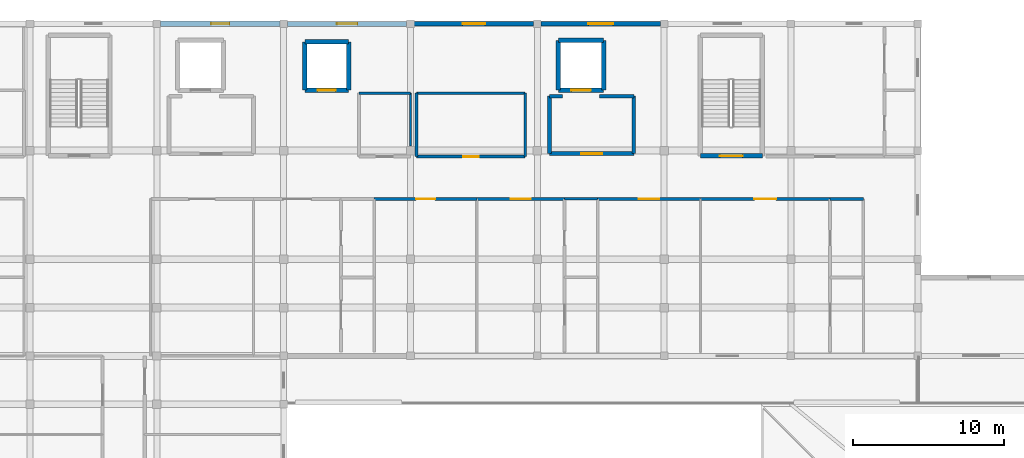
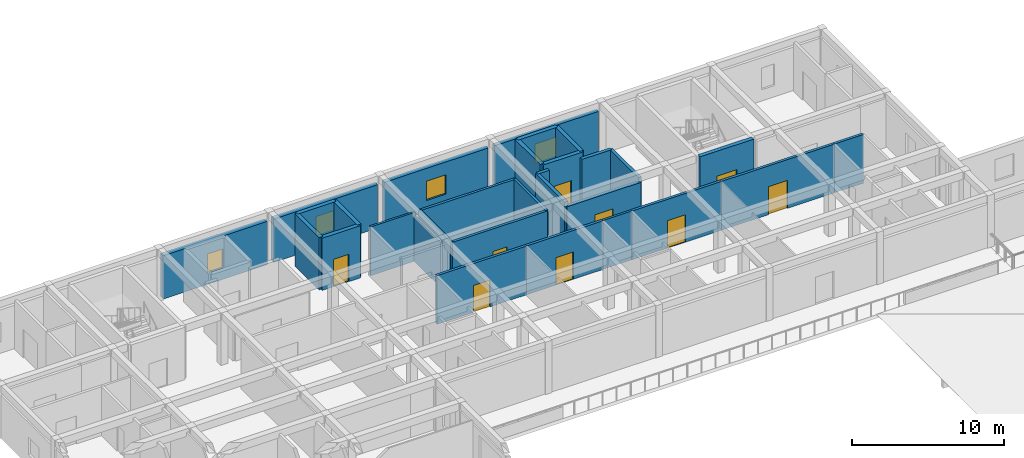
# One storey, part 11 of 28: 30 walls, 9 doors, 4 windows, 13 openings.
"""IFC4 building model written with IfcOpenShell, lengths in metres."""

from ifc_helpers import new_model, si_unit, direction, frame, frame_2d, origin, place, context, subcontext, project, spatial, rectangle, extrude, material, layer, layer_set, type_object, element, fill, save


model = new_model("IFC4")

# Units and contexts
model_context = context("Model", 3, precision=1e-05, world=origin(), true_north=direction((0.0, 1.0)))
body_context = subcontext(model_context, "Body", "Model", "MODEL_VIEW")
ifc_project = project(units=[si_unit("LENGTHUNIT", "METRE"), si_unit("AREAUNIT", "SQUARE_METRE"), si_unit("VOLUMEUNIT", "CUBIC_METRE"), si_unit("PLANEANGLEUNIT", "RADIAN"), si_unit("MASSUNIT", "GRAM", prefix="KILO")], contexts=[model_context])

# Site, building, storey
site_placement = place(None, origin())
site = spatial("IfcSite", under=ifc_project, at=site_placement, CompositionType="ELEMENT")
building_placement = place(site_placement, origin())
building = spatial("IfcBuilding", under=site, at=building_placement, Name="Varncliffe General Hospital", CompositionType="ELEMENT")
storey_placement = place(building_placement, frame((0.0, 0.0, 24.60009765625)))
storey = spatial("IfcBuildingStorey", under=building, at=storey_placement, Name="L05", CompositionType="ELEMENT", Elevation=24.60009765625)

# Wall, opening, window
ifc_material_1 = material(Name="Precast concrete C40/50 with insulated cream lime-cement stucco", Category="concrete")
ifc_layer_1 = layer(ifc_material_1, 0.31005859375)
ifc_layer_set_1 = layer_set([ifc_layer_1], Name="Precast concrete C40/50 with insulated cream lime-cement stucco")
wall_type_1 = type_object("IfcWallType", Name="Exterior Insulated Stucco Wall EW20 (310mm)", PredefinedType="SOLIDWALL", material=ifc_layer_set_1)
wall_1_placement = place(storey_placement, frame((33.847900390625, 124.800048828125, 0.0), z_axis=(0.0, 0.0, 1.0), x_axis=(1.0, 0.0, 0.0)))
wall_1 = element("IfcWall", 1, at=wall_1_placement, inside=storey, type_object=wall_type_1, Name="L05 Exterior Stucco Wall EW20-424", PredefinedType="SOLIDWALL", context=body_context, shape_type="SweptSolid", body=[
    extrude(rectangle(XDim=7.904052734375, YDim=0.31005859375, at=frame_2d((3.9521484375, 0.0))), origin(), (0.0, 0.0, 1.0), 3.47998046875),
])
opening_1_placement = place(wall_1_placement, frame((3.201904296875, 0.0, 0.89990234375)))
opening_1 = element("IfcOpeningElement", 2, at=opening_1_placement, cuts=wall_1, Name="Opening WN75", PredefinedType="OPENING", context=body_context, shape_type="SweptSolid", body=[
    extrude(rectangle(XDim=1.5, YDim=1.550048828125, at=frame_2d((0.75, 0.77490234375))), frame((0.0, 0.1650390625, 0.0), z_axis=(0.0, -1.0, 0.0), x_axis=(1.0, 0.0, 0.0)), (0.0, 0.0, 1.0), 0.330078125),
])
ifc_material_2 = material(Name="Triple low-E argon insulated vision glazing", Category="glass")
window_type_1 = type_object("IfcWindowType", Name="Triple-Glazed Hospital Window WN75 (1500x1550)", PartitioningType="SINGLE_PANEL", PredefinedType="WINDOW", material=ifc_material_2)
window_1_placement = place(opening_1_placement, origin())
window_1 = element("IfcWindow", 3, at=window_1_placement, inside=storey, type_object=window_type_1, Name="L05 Hospital Window WN75-320", OverallHeight=1.550048828125, OverallWidth=1.5, PartitioningType="SINGLE_PANEL", PredefinedType="WINDOW", context=body_context, shape_type="SweptSolid", body=[
    extrude(rectangle(XDim=1.5, YDim=1.550048828125, at=frame_2d((0.75, 0.77490234375))), frame((0.0, 0.030029296875, 0.0), z_axis=(0.0, -1.0, 0.0), x_axis=(1.0, 0.0, 0.0)), (0.0, 0.0, 1.0), 0.06005859375),
])
fill(opening_1, window_1)

ifc_layer_2 = layer(ifc_material_1, 0.2900390625)
ifc_layer_set_2 = layer_set([ifc_layer_2], Name="Precast concrete C40/50 with insulated cream lime-cement stucco")
wall_type_2 = type_object("IfcWallType", Name="Exterior Insulated Stucco Wall EW31 (290mm)", PredefinedType="SOLIDWALL", material=ifc_layer_set_2)
wall_2_placement = place(storey_placement, frame((42.248046875, 124.800048828125, 0.0), z_axis=(0.0, 0.0, 1.0), x_axis=(1.0, 0.0, 0.0)))
wall_2 = element("IfcWall", 4, at=wall_2_placement, inside=storey, type_object=wall_type_2, Name="L05 Exterior Stucco Wall EW31-425", PredefinedType="SOLIDWALL", context=body_context, shape_type="SweptSolid", body=[
    extrude(rectangle(XDim=7.904052734375, YDim=0.2900390625, at=frame_2d((3.9521484375, 0.0))), origin(), (0.0, 0.0, 1.0), 3.47998046875),
])
opening_2_placement = place(wall_2_placement, frame((3.126953125, 0.0, 0.89990234375)))
opening_2 = element("IfcOpeningElement", 5, at=opening_2_placement, cuts=wall_2, Name="Opening WN20", PredefinedType="OPENING", context=body_context, shape_type="SweptSolid", body=[
    extrude(rectangle(XDim=1.64990234375, YDim=1.550048828125, at=frame_2d((0.824951171875, 0.77490234375))), frame((0.0, 0.155029296875, 0.0), z_axis=(0.0, -1.0, 0.0), x_axis=(1.0, 0.0, 0.0)), (0.0, 0.0, 1.0), 0.31005859375),
])
window_type_2 = type_object("IfcWindowType", Name="Triple-Glazed Hospital Window WN20 (1650x1550)", PartitioningType="DOUBLE_PANEL_VERTICAL", PredefinedType="WINDOW", material=ifc_material_2)
window_2_placement = place(opening_2_placement, origin())
window_2 = element("IfcWindow", 6, at=window_2_placement, inside=storey, type_object=window_type_2, Name="L05 Hospital Window WN20-321", OverallHeight=1.550048828125, OverallWidth=1.64990234375, PartitioningType="DOUBLE_PANEL_VERTICAL", PredefinedType="WINDOW", context=body_context, shape_type="SweptSolid", body=[
    extrude(rectangle(XDim=1.64990234375, YDim=1.550048828125, at=frame_2d((0.824951171875, 0.77490234375))), frame((0.0, 0.030029296875, 0.0), z_axis=(0.0, -1.0, 0.0), x_axis=(1.0, 0.0, 0.0)), (0.0, 0.0, 1.0), 0.06005859375),
])
fill(opening_2, window_2)

ifc_layer_3 = layer(ifc_material_1, 0.330078125)
ifc_layer_set_3 = layer_set([ifc_layer_3], Name="Precast concrete C40/50 with insulated cream lime-cement stucco")
wall_type_3 = type_object("IfcWallType", Name="Exterior Insulated Stucco Wall EW33 (330mm)", PredefinedType="SOLIDWALL", material=ifc_layer_set_3)
wall_3_placement = place(storey_placement, frame((25.447998046875, 124.800048828125, 0.0), z_axis=(0.0, 0.0, 1.0), x_axis=(1.0, 0.0, 0.0)))
wall_3 = element("IfcWall", 7, at=wall_3_placement, inside=storey, type_object=wall_type_3, Name="L05 Exterior Stucco Wall EW33-423", PredefinedType="SOLIDWALL", context=body_context, shape_type="SweptSolid", body=[
    extrude(rectangle(XDim=7.904052734375, YDim=0.330078125, at=frame_2d((3.9521484375, 0.0))), origin(), (0.0, 0.0, 1.0), 3.47998046875),
])
opening_3_placement = place(wall_3_placement, frame((3.277099609375, 0.0, 0.89990234375)))
opening_3 = element("IfcOpeningElement", 8, at=opening_3_placement, cuts=wall_3, Name="Opening WN24", PredefinedType="OPENING", context=body_context, shape_type="SweptSolid", body=[
    extrude(rectangle(XDim=1.35009765625, YDim=1.550048828125, at=frame_2d((0.675048828125, 0.77490234375))), frame((0.0, 0.175048828125, 0.0), z_axis=(0.0, -1.0, 0.0), x_axis=(1.0, 0.0, 0.0)), (0.0, 0.0, 1.0), 0.35009765625),
])
window_type_3 = type_object("IfcWindowType", Name="Triple-Glazed Hospital Window WN24 (1350x1550)", PartitioningType="SINGLE_PANEL", PredefinedType="WINDOW", material=ifc_material_2)
window_3_placement = place(opening_3_placement, origin())
window_3 = element("IfcWindow", 9, at=window_3_placement, inside=storey, type_object=window_type_3, Name="L05 Hospital Window WN24-319", OverallHeight=1.550048828125, OverallWidth=1.35009765625, PartitioningType="SINGLE_PANEL", PredefinedType="WINDOW", context=body_context, shape_type="SweptSolid", body=[
    extrude(rectangle(XDim=1.35009765625, YDim=1.550048828125, at=frame_2d((0.675048828125, 0.77490234375))), frame((0.0, 0.030029296875, 0.0), z_axis=(0.0, -1.0, 0.0), x_axis=(1.0, 0.0, 0.0)), (0.0, 0.0, 1.0), 0.06005859375),
])
fill(opening_3, window_3)

ifc_layer_4 = layer(ifc_material_1, 0.35009765625)
ifc_layer_set_4 = layer_set([ifc_layer_4], Name="Precast concrete C40/50 with insulated cream lime-cement stucco")
wall_type_4 = type_object("IfcWallType", Name="Exterior Insulated Stucco Wall EW37 (350mm)", PredefinedType="SOLIDWALL", material=ifc_layer_set_4)
wall_4_placement = place(storey_placement, frame((17.048095703125, 124.800048828125, 0.0), z_axis=(0.0, 0.0, 1.0), x_axis=(1.0, 0.0, 0.0)))
wall_4 = element("IfcWall", 10, at=wall_4_placement, inside=storey, type_object=wall_type_4, Name="L05 Exterior Stucco Wall EW37-422", PredefinedType="SOLIDWALL", context=body_context, shape_type="SweptSolid", body=[
    extrude(rectangle(XDim=7.90380859375, YDim=0.35009765625, at=frame_2d((3.951904296875, 0.0))), origin(), (0.0, 0.0, 1.0), 3.47998046875),
])
opening_4_placement = place(wall_4_placement, frame((3.35205078125, 0.0, 0.89990234375)))
opening_4 = element("IfcOpeningElement", 11, at=opening_4_placement, cuts=wall_4, Name="Opening WN33", PredefinedType="OPENING", context=body_context, shape_type="SweptSolid", body=[
    extrude(rectangle(XDim=1.199951171875, YDim=1.550048828125, at=frame_2d((0.60009765625, 0.77490234375))), frame((0.0, 0.18505859375, 0.0), z_axis=(0.0, -1.0, 0.0), x_axis=(1.0, 0.0, 0.0)), (0.0, 0.0, 1.0), 0.3701171875),
])
window_type_4 = type_object("IfcWindowType", Name="Triple-Glazed Hospital Window WN33 (1200x1550)", PartitioningType="SINGLE_PANEL", PredefinedType="WINDOW", material=ifc_material_2)
window_4_placement = place(opening_4_placement, origin())
window_4 = element("IfcWindow", 12, at=window_4_placement, inside=storey, type_object=window_type_4, Name="L05 Hospital Window WN33-318", OverallHeight=1.550048828125, OverallWidth=1.199951171875, PartitioningType="SINGLE_PANEL", PredefinedType="WINDOW", context=body_context, shape_type="SweptSolid", body=[
    extrude(rectangle(XDim=1.199951171875, YDim=1.550048828125, at=frame_2d((0.60009765625, 0.77490234375))), frame((0.0, 0.030029296875, 0.0), z_axis=(0.0, -1.0, 0.0), x_axis=(1.0, 0.0, 0.0)), (0.0, 0.0, 1.0), 0.06005859375),
])
fill(opening_4, window_4)

# Wall, opening, door
ifc_material_3 = material(Name="Fire-rated gypsum and mineral-wool partition assembly", Category="gypsum")
ifc_layer_5 = layer(ifc_material_3, 0.25)
ifc_layer_set_5 = layer_set([ifc_layer_5], Name="Fire-rated gypsum and mineral-wool partition assembly")
wall_type_5 = type_object("IfcWallType", Name="Interior Partitioning PW38 (250mm)", PredefinedType="PARTITIONING", material=ifc_layer_set_5)
wall_5_placement = place(storey_placement, frame((42.800048828125, 116.199951171875, 0.0), z_axis=(0.0, 0.0, 1.0), x_axis=(1.0, 0.0, 0.0)))
wall_5 = element("IfcWall", 13, at=wall_5_placement, inside=storey, type_object=wall_type_5, Name="L05 Interior Partition Wall PW38-2083", PredefinedType="PARTITIONING", context=body_context, shape_type="SweptSolid", body=[
    extrude(rectangle(XDim=5.599853515625, YDim=0.25, at=frame_2d((2.7998046875, 0.0))), origin(), (0.0, 0.0, 1.0), 3.5849609375),
])
opening_5_placement = place(wall_5_placement, frame((2.10009765625, 0.0, 0.0)))
opening_5 = element("IfcOpeningElement", 14, at=opening_5_placement, cuts=wall_5, Name="Opening DF81", PredefinedType="OPENING", context=body_context, shape_type="SweptSolid", body=[
    extrude(rectangle(XDim=1.39990234375, YDim=2.199951171875, at=frame_2d((0.699951171875, 1.10009765625))), frame((0.0, 0.135009765625, 0.0), z_axis=(0.0, -1.0, 0.0), x_axis=(1.0, 0.0, 0.0)), (0.0, 0.0, 1.0), 0.27001953125),
])
ifc_material_4 = material(Name="Fire-rated hospital steel-frame vision-panel door", Category="steel")
door_type_1 = type_object("IfcDoorType", Name="Interior Hospital Door DF81 (1400x2200)", OperationType="NOTDEFINED", PredefinedType="DOOR", material=ifc_material_4)
door_1_placement = place(opening_5_placement, origin())
door_1 = element("IfcDoor", 15, at=door_1_placement, inside=storey, type_object=door_type_1, Name="L05 Firefighting Lift Lobby LF02 Door", OperationType="SINGLE_SWING_LEFT", OverallHeight=2.199951171875, OverallWidth=1.39990234375, PredefinedType="DOOR", context=body_context, shape_type="SweptSolid", body=[
    extrude(rectangle(XDim=1.39990234375, YDim=2.199951171875, at=frame_2d((0.699951171875, 1.10009765625))), frame((0.0, 0.02490234375, 0.0), z_axis=(0.0, -1.0, 0.0), x_axis=(1.0, 0.0, 0.0)), (0.0, 0.0, 1.0), 0.050048828125),
])
fill(opening_5, door_1)

# Walls
wall_6_placement = place(storey_placement, frame((46.135986328125, 120.0, 0.0), z_axis=(0.0, 0.0, 1.0), x_axis=(1.0, 0.0, 0.0)))
element("IfcWall", 16, at=wall_6_placement, inside=storey, type_object=wall_type_5, Name="L05 Interior Partition Wall PW38-2087", PredefinedType="PARTITIONING", context=body_context, shape_type="SweptSolid", body=[
    extrude(rectangle(XDim=2.263916015625, YDim=0.25, at=frame_2d((1.1318359375, 0.0))), origin(), (0.0, 0.0, 1.0), 3.919921875),
])
wall_7_placement = place(storey_placement, frame((42.800048828125, 120.0, 0.0), z_axis=(0.0, 0.0, 1.0), x_axis=(1.0, 0.0, 0.0)))
element("IfcWall", 17, at=wall_7_placement, inside=storey, type_object=wall_type_5, Name="L05 Interior Partition Wall PW38-2088", PredefinedType="PARTITIONING", context=body_context, shape_type="SweptSolid", body=[
    extrude(rectangle(XDim=0.864013671875, YDim=0.25, at=frame_2d((0.43212890625, 0.0))), origin(), (0.0, 0.0, 1.0), 3.919921875),
])
wall_8_placement = place(storey_placement, frame((42.800048828125, 116.199951171875, 0.0), z_axis=(0.0, 0.0, 1.0), x_axis=(0.0, 1.0, 0.0)))
element("IfcWall", 18, at=wall_8_placement, inside=storey, type_object=wall_type_5, Name="L05 Interior Partition Wall PW38-2125", PredefinedType="PARTITIONING", context=body_context, shape_type="SweptSolid", body=[
    extrude(rectangle(XDim=3.800048828125, YDim=0.25, at=frame_2d((1.89990234375, 0.0))), origin(), (0.0, 0.0, 1.0), 3.919921875),
])
ifc_layer_6 = layer(ifc_material_3, 0.22998046875)
ifc_layer_set_6 = layer_set([ifc_layer_6], Name="Fire-rated gypsum and mineral-wool partition assembly")
wall_type_6 = type_object("IfcWallType", Name="Interior Partitioning PW48 (230mm)", PredefinedType="PARTITIONING", material=ifc_layer_set_6)
wall_9_placement = place(storey_placement, frame((48.39990234375, 116.199951171875, 0.0), z_axis=(0.0, 0.0, 1.0), x_axis=(0.0, 1.0, 0.0)))
element("IfcWall", 19, at=wall_9_placement, inside=storey, type_object=wall_type_6, Name="L05 Interior Partition Wall PW48-2130", PredefinedType="PARTITIONING", context=body_context, shape_type="SweptSolid", body=[
    extrude(rectangle(XDim=3.800048828125, YDim=0.22998046875, at=frame_2d((1.89990234375, 0.0))), origin(), (0.0, 0.0, 1.0), 3.919921875),
])

# Wall, opening, door
ifc_layer_7 = layer(ifc_material_3, 0.199951171875)
ifc_layer_set_7 = layer_set([ifc_layer_7], Name="Fire-rated gypsum and mineral-wool partition assembly")
wall_type_7 = type_object("IfcWallType", Name="Interior Partitioning PW63 (200mm)", PredefinedType="PARTITIONING", material=ifc_layer_set_7)
wall_10_placement = place(storey_placement, frame((31.199951171875, 113.199951171875, 0.0), z_axis=(0.0, 0.0, 1.0), x_axis=(1.0, 0.0, 0.0)))
wall_10 = element("IfcWall", 20, at=wall_10_placement, inside=storey, type_object=wall_type_7, Name="L05 Interior Partition Wall PW63-2053", PredefinedType="PARTITIONING", context=body_context, shape_type="SweptSolid", body=[
    extrude(rectangle(XDim=6.800048828125, YDim=0.199951171875, at=frame_2d((3.39990234375, 0.0))), origin(), (0.0, 0.0, 1.0), 3.919921875),
])
opening_6_placement = place(wall_10_placement, frame((2.77490234375, 0.0, 0.0)))
opening_6 = element("IfcOpeningElement", 21, at=opening_6_placement, cuts=wall_10, Name="Opening DC44", PredefinedType="OPENING", context=body_context, shape_type="SweptSolid", body=[
    extrude(rectangle(XDim=1.25, YDim=2.14990234375, at=frame_2d((0.625, 1.074951171875))), frame((0.0, 0.10986328125, 0.0), z_axis=(0.0, -1.0, 0.0), x_axis=(1.0, 0.0, 0.0)), (0.0, 0.0, 1.0), 0.219970703125),
])
door_type_2 = type_object("IfcDoorType", Name="Interior Hospital Door DC44 (1250x2150)", OperationType="NOTDEFINED", PredefinedType="DOOR", material=ifc_material_4)
door_2_placement = place(opening_6_placement, frame((1.25, 0.0, 0.0), z_axis=(0.0, 0.0, 1.0), x_axis=(-1.0, 0.0, 0.0)))
door_2 = element("IfcDoor", 22, at=door_2_placement, inside=storey, type_object=door_type_2, Name="L05 Family Waiting Lounge and Terrace Vestibule 52 Door", OperationType="SINGLE_SWING_LEFT", OverallHeight=2.14990234375, OverallWidth=1.25, PredefinedType="DOOR", context=body_context, shape_type="SweptSolid", body=[
    extrude(rectangle(XDim=1.25, YDim=2.14990234375, at=frame_2d((0.625, 1.074951171875))), frame((0.0, 0.02490234375, 0.0), z_axis=(0.0, -1.0, 0.0), x_axis=(1.0, 0.0, 0.0)), (0.0, 0.0, 1.0), 0.050048828125),
])
fill(opening_6, door_2)

wall_11_placement = place(storey_placement, frame((38.0, 113.199951171875, 0.0), z_axis=(0.0, 0.0, 1.0), x_axis=(1.0, 0.0, 0.0)))
wall_11 = element("IfcWall", 23, at=wall_11_placement, inside=storey, type_object=wall_type_7, Name="L05 Interior Partition Wall PW63-2054", PredefinedType="PARTITIONING", context=body_context, shape_type="SweptSolid", body=[
    extrude(rectangle(XDim=5.800048828125, YDim=0.199951171875, at=frame_2d((2.89990234375, 0.0))), origin(), (0.0, 0.0, 1.0), 3.919921875),
])
opening_7_placement = place(wall_11_placement, frame((2.25, 0.0, 0.0)))
opening_7 = element("IfcOpeningElement", 24, at=opening_7_placement, cuts=wall_11, Name="Opening DC88", PredefinedType="OPENING", context=body_context, shape_type="SweptSolid", body=[
    extrude(rectangle(XDim=1.300048828125, YDim=2.199951171875, at=frame_2d((0.64990234375, 1.10009765625))), frame((0.0, 0.10986328125, 0.0), z_axis=(0.0, -1.0, 0.0), x_axis=(1.0, 0.0, 0.0)), (0.0, 0.0, 1.0), 0.219970703125),
])
door_type_3 = type_object("IfcDoorType", Name="Interior Hospital Door DC88 (1300x2200)", OperationType="NOTDEFINED", PredefinedType="DOOR", material=ifc_material_4)
door_3_placement = place(opening_7_placement, frame((1.300048828125, 0.0, 0.0), z_axis=(0.0, 0.0, 1.0), x_axis=(-1.0, 0.0, 0.0)))
door_3 = element("IfcDoor", 25, at=door_3_placement, inside=storey, type_object=door_type_3, Name="L05 Maternity Birthing and Postpartum Suite 53 Door", OperationType="SINGLE_SWING_RIGHT", OverallHeight=2.199951171875, OverallWidth=1.300048828125, PredefinedType="DOOR", context=body_context, shape_type="SweptSolid", body=[
    extrude(rectangle(XDim=1.300048828125, YDim=2.199951171875, at=frame_2d((0.64990234375, 1.10009765625))), frame((0.0, 0.02490234375, 0.0), z_axis=(0.0, -1.0, 0.0), x_axis=(1.0, 0.0, 0.0)), (0.0, 0.0, 1.0), 0.050048828125),
])
fill(opening_7, door_3)

wall_12_placement = place(storey_placement, frame((46.0, 113.199951171875, 0.0), z_axis=(0.0, 0.0, 1.0), x_axis=(1.0, 0.0, 0.0)))
wall_12 = element("IfcWall", 26, at=wall_12_placement, inside=storey, type_object=wall_type_7, Name="L05 Interior Partition Wall PW63-2056", PredefinedType="PARTITIONING", context=body_context, shape_type="SweptSolid", body=[
    extrude(rectangle(XDim=6.800048828125, YDim=0.199951171875, at=frame_2d((3.39990234375, 0.0))), origin(), (0.0, 0.0, 1.0), 3.919921875),
])
opening_8_placement = place(wall_12_placement, frame((2.72509765625, 0.0, 0.0)))
opening_8 = element("IfcOpeningElement", 27, at=opening_8_placement, cuts=wall_12, Name="Opening DC85", PredefinedType="OPENING", context=body_context, shape_type="SweptSolid", body=[
    extrude(rectangle(XDim=1.35009765625, YDim=2.199951171875, at=frame_2d((0.675048828125, 1.10009765625))), frame((0.0, 0.10986328125, 0.0), z_axis=(0.0, -1.0, 0.0), x_axis=(1.0, 0.0, 0.0)), (0.0, 0.0, 1.0), 0.219970703125),
])
door_type_4 = type_object("IfcDoorType", Name="Interior Hospital Door DC85 (1350x2200)", OperationType="NOTDEFINED", PredefinedType="DOOR", material=ifc_material_4)
door_4_placement = place(opening_8_placement, frame((1.35009765625, 0.0, 0.0), z_axis=(0.0, 0.0, 1.0), x_axis=(-1.0, 0.0, 0.0)))
door_4 = element("IfcDoor", 28, at=door_4_placement, inside=storey, type_object=door_type_4, Name="L05 Family Waiting Lounge and Terrace Vestibule 56 Door", OperationType="SINGLE_SWING_LEFT", OverallHeight=2.199951171875, OverallWidth=1.35009765625, PredefinedType="DOOR", context=body_context, shape_type="SweptSolid", body=[
    extrude(rectangle(XDim=1.35009765625, YDim=2.199951171875, at=frame_2d((0.675048828125, 1.10009765625))), frame((0.0, 0.02490234375, 0.0), z_axis=(0.0, -1.0, 0.0), x_axis=(1.0, 0.0, 0.0)), (0.0, 0.0, 1.0), 0.050048828125),
])
fill(opening_8, door_4)

wall_13_placement = place(storey_placement, frame((52.800048828125, 113.199951171875, 0.0), z_axis=(0.0, 0.0, 1.0), x_axis=(1.0, 0.0, 0.0)))
wall_13 = element("IfcWall", 29, at=wall_13_placement, inside=storey, type_object=wall_type_7, Name="L05 Interior Partition Wall PW63-2057", PredefinedType="PARTITIONING", context=body_context, shape_type="SweptSolid", body=[
    extrude(rectangle(XDim=8.599853515625, YDim=0.199951171875, at=frame_2d((4.2998046875, 0.0))), origin(), (0.0, 0.0, 1.0), 3.919921875),
])
opening_9_placement = place(wall_13_placement, frame((3.574951171875, 0.0, 0.0)))
opening_9 = element("IfcOpeningElement", 30, at=opening_9_placement, cuts=wall_13, Name="Opening DC66", PredefinedType="OPENING", context=body_context, shape_type="SweptSolid", body=[
    extrude(rectangle(XDim=1.449951171875, YDim=2.25, at=frame_2d((0.72509765625, 1.125))), frame((0.0, 0.10986328125, 0.0), z_axis=(0.0, -1.0, 0.0), x_axis=(1.0, 0.0, 0.0)), (0.0, 0.0, 1.0), 0.219970703125),
])
door_type_5 = type_object("IfcDoorType", Name="Interior Hospital Door DC66 (1450x2250)", OperationType="NOTDEFINED", PredefinedType="DOOR", material=ifc_material_4)
door_5_placement = place(opening_9_placement, frame((1.449951171875, 0.0, 0.0), z_axis=(0.0, 0.0, 1.0), x_axis=(-1.0, 0.0, 0.0)))
door_5 = element("IfcDoor", 31, at=door_5_placement, inside=storey, type_object=door_type_5, Name="L05 Maternity Birthing and Postpartum Suite 57 Door", OperationType="SINGLE_SWING_RIGHT", OverallHeight=2.25, OverallWidth=1.449951171875, PredefinedType="DOOR", context=body_context, shape_type="SweptSolid", body=[
    extrude(rectangle(XDim=1.449951171875, YDim=2.25, at=frame_2d((0.72509765625, 1.125))), frame((0.0, 0.02490234375, 0.0), z_axis=(0.0, -1.0, 0.0), x_axis=(1.0, 0.0, 0.0)), (0.0, 0.0, 1.0), 0.050048828125),
])
fill(opening_9, door_5)

wall_14_placement = place(storey_placement, frame((34.0, 116.0, 0.0), z_axis=(0.0, 0.0, 1.0), x_axis=(1.0, 0.0, 0.0)))
wall_14 = element("IfcWall", 32, at=wall_14_placement, inside=storey, type_object=wall_type_7, Name="L05 Interior Partition Wall PW63-2073", PredefinedType="PARTITIONING", context=body_context, shape_type="SweptSolid", body=[
    extrude(rectangle(XDim=7.199951171875, YDim=0.199951171875, at=frame_2d((3.60009765625, 0.0))), origin(), (0.0, 0.0, 1.0), 3.919921875),
])
opening_10_placement = place(wall_14_placement, frame((3.080078125, 0.0, 0.0)))
opening_10 = element("IfcOpeningElement", 33, at=opening_10_placement, cuts=wall_14, Name="Opening DI77", PredefinedType="OPENING", context=body_context, shape_type="SweptSolid", body=[
    extrude(rectangle(XDim=1.0400390625, YDim=2.10009765625, at=frame_2d((0.52001953125, 1.050048828125))), frame((0.0, 0.10986328125, 0.0), z_axis=(0.0, -1.0, 0.0), x_axis=(1.0, 0.0, 0.0)), (0.0, 0.0, 1.0), 0.219970703125),
])
ifc_material_5 = material(Name="Solid-core antimicrobial hospital oak veneer door", Category="wood")
door_type_6 = type_object("IfcDoorType", Name="Interior Hospital Door DI77 (1040x2100)", OperationType="NOTDEFINED", PredefinedType="DOOR", material=ifc_material_5)
door_6_placement = place(opening_10_placement, origin())
door_6 = element("IfcDoor", 34, at=door_6_placement, inside=storey, type_object=door_type_6, Name="L05 Staff and Visitor WC L05-NW Door", OperationType="SINGLE_SWING_LEFT", OverallHeight=2.10009765625, OverallWidth=1.0400390625, PredefinedType="DOOR", context=body_context, shape_type="SweptSolid", body=[
    extrude(rectangle(XDim=1.0400390625, YDim=2.10009765625, at=frame_2d((0.52001953125, 1.050048828125))), frame((0.0, 0.02490234375, 0.0), z_axis=(0.0, -1.0, 0.0), x_axis=(1.0, 0.0, 0.0)), (0.0, 0.0, 1.0), 0.050048828125),
])
fill(opening_10, door_6)

# Walls
ifc_material_6 = material(Name="Moisture-resistant plumbing chase wall assembly", Category="gypsum")
ifc_layer_8 = layer(ifc_material_6, 0.18994140625)
ifc_layer_set_8 = layer_set([ifc_layer_8], Name="Moisture-resistant plumbing chase wall assembly")
wall_type_8 = type_object("IfcWallType", Name="Interior Plumbingwall MW17 (190mm)", PredefinedType="PLUMBINGWALL", material=ifc_layer_set_8)
wall_15_placement = place(storey_placement, frame((61.39990234375, 113.199951171875, 0.0), z_axis=(0.0, 0.0, 1.0), x_axis=(1.0, 0.0, 0.0)))
element("IfcWall", 35, at=wall_15_placement, inside=storey, type_object=wall_type_8, Name="L05 Interior Plumbing Wall MW17-2058", PredefinedType="PLUMBINGWALL", context=body_context, shape_type="SweptSolid", body=[
    extrude(rectangle(XDim=2.2001953125, YDim=0.18994140625, at=frame_2d((1.10009765625, 0.0))), origin(), (0.0, 0.0, 1.0), 3.919921875),
])
wall_16_placement = place(storey_placement, frame((34.0, 120.199951171875, 0.0), z_axis=(0.0, 0.0, 1.0), x_axis=(1.0, 0.0, 0.0)))
element("IfcWall", 36, at=wall_16_placement, inside=storey, type_object=wall_type_8, Name="L05 Interior Plumbing Wall MW17-2092", PredefinedType="PLUMBINGWALL", context=body_context, shape_type="SweptSolid", body=[
    extrude(rectangle(XDim=7.199951171875, YDim=0.18994140625, at=frame_2d((3.60009765625, 0.0))), origin(), (0.0, 0.0, 1.0), 3.919921875),
])
for number, where, z_axis, x_axis, name in (
    (37, (34.0, 116.0, 0.0), (0.0, 0.0, 1.0), (0.0, 1.0, 0.0), "L05 Interior Plumbing Wall MW17-2122"),
    (38, (41.199951171875, 116.0, 0.0), (0.0, 0.0, 1.0), (0.0, 1.0, 0.0), "L05 Interior Plumbing Wall MW17-2124"),
):
    element("IfcWall", number, at=place(storey_placement, frame(where, z_axis=z_axis, x_axis=x_axis)), inside=storey, type_object=wall_type_8, Name=name, PredefinedType="PLUMBINGWALL", context=body_context, shape_type="SweptSolid", body=[
        extrude(rectangle(XDim=4.199951171875, YDim=0.18994140625, at=frame_2d((2.10009765625, 0.0))), origin(), (0.0, 0.0, 1.0), 3.919921875),
    ])
ifc_layer_9 = layer(ifc_material_6, 0.159912109375)
ifc_layer_set_9 = layer_set([ifc_layer_9], Name="Moisture-resistant plumbing chase wall assembly")
wall_type_9 = type_object("IfcWallType", Name="Interior Plumbingwall MW31 (160mm)", PredefinedType="PLUMBINGWALL", material=ifc_layer_set_9)
wall_17_placement = place(storey_placement, frame((43.800048828125, 113.199951171875, 0.0), z_axis=(0.0, 0.0, 1.0), x_axis=(1.0, 0.0, 0.0)))
element("IfcWall", 39, at=wall_17_placement, inside=storey, type_object=wall_type_9, Name="L05 Interior Plumbing Wall MW31-2055", PredefinedType="PLUMBINGWALL", context=body_context, shape_type="SweptSolid", body=[
    extrude(rectangle(XDim=2.199951171875, YDim=0.159912109375, at=frame_2d((1.10009765625, 0.0))), origin(), (0.0, 0.0, 1.0), 3.919921875),
])
wall_18_placement = place(storey_placement, frame((30.199951171875, 120.199951171875, 0.0), z_axis=(0.0, 0.0, 1.0), x_axis=(1.0, 0.0, 0.0)))
element("IfcWall", 40, at=wall_18_placement, inside=storey, type_object=wall_type_9, Name="L05 Interior Plumbing Wall MW31-2091", PredefinedType="PLUMBINGWALL", context=body_context, shape_type="SweptSolid", body=[
    extrude(rectangle(XDim=3.400146484375, YDim=0.159912109375, at=frame_2d((1.7001953125, 0.0))), origin(), (0.0, 0.0, 1.0), 3.919921875),
])
wall_19_placement = place(storey_placement, frame((33.60009765625, 116.68994140625, 0.0), z_axis=(0.0, 0.0, 1.0), x_axis=(0.0, 1.0, 0.0)))
element("IfcWall", 41, at=wall_19_placement, inside=storey, type_object=wall_type_9, Name="L05 Interior Plumbing Wall MW31-2121", PredefinedType="PLUMBINGWALL", context=body_context, shape_type="SweptSolid", body=[
    extrude(rectangle(XDim=3.510009765625, YDim=0.159912109375, at=frame_2d((1.7548828125, 0.0))), origin(), (0.0, 0.0, 1.0), 3.635009765625),
])

# Wall, opening, door
ifc_material_7 = material(Name="Concrete C40/50 (CSA A23.1 40 MPa)", Category="concrete")
ifc_layer_10 = layer(ifc_material_7, 0.300048828125)
ifc_layer_set_10 = layer_set([ifc_layer_10], Name="Concrete C40/50 (CSA A23.1 40 MPa)")
wall_type_10 = type_object("IfcWallType", Name="Reinforced Concrete Core Shear Wall CW12 (300mm)", PredefinedType="SHEAR", material=ifc_layer_set_10)
wall_20_placement = place(storey_placement, frame((52.800048828125, 116.050048828125, 0.0), z_axis=(0.0, 0.0, 1.0), x_axis=(1.0, 0.0, 0.0)))
wall_20 = element("IfcWall", 42, at=wall_20_placement, inside=storey, type_object=wall_type_10, Name="L05 ST02 Core Shear Wall N", PredefinedType="SHEAR", context=body_context, shape_type="SweptSolid", body=[
    extrude(rectangle(XDim=4.099853515625, YDim=0.300048828125, at=frame_2d((2.0498046875, 0.0))), origin(), (0.0, 0.0, 1.0), 4.199951171875),
])
opening_11_placement = place(wall_20_placement, frame((1.300048828125, 0.0, 0.0)))
opening_11 = element("IfcOpeningElement", 43, at=opening_11_placement, cuts=wall_20, Name="Opening DF28", PredefinedType="OPENING", context=body_context, shape_type="SweptSolid", body=[
    extrude(rectangle(XDim=1.5, YDim=2.199951171875, at=frame_2d((0.75, 1.10009765625))), frame((0.0, 0.16015625, 0.0), z_axis=(0.0, -1.0, 0.0), x_axis=(1.0, 0.0, 0.0)), (0.0, 0.0, 1.0), 0.320068359375),
])
door_type_7 = type_object("IfcDoorType", Name="Interior Hospital Door DF28 (1500x2200)", OperationType="NOTDEFINED", PredefinedType="DOOR", material=ifc_material_4)
door_7_placement = place(opening_11_placement, frame((1.5, 0.0, 0.0), z_axis=(0.0, 0.0, 1.0), x_axis=(-1.0, 0.0, 0.0)))
door_7 = element("IfcDoor", 44, at=door_7_placement, inside=storey, type_object=door_type_7, Name="L05 ST02 Protected Exit Stair Door", OperationType="SINGLE_SWING_RIGHT", OverallHeight=2.199951171875, OverallWidth=1.5, PredefinedType="DOOR", context=body_context, shape_type="SweptSolid", body=[
    extrude(rectangle(XDim=1.5, YDim=2.199951171875, at=frame_2d((0.75, 1.10009765625))), frame((0.0, 0.02490234375, 0.0), z_axis=(0.0, -1.0, 0.0), x_axis=(1.0, 0.0, 0.0)), (0.0, 0.0, 1.0), 0.050048828125),
])
fill(opening_11, door_7)

wall_21_placement = place(storey_placement, frame((43.39990234375, 120.39990234375, 0.0), z_axis=(0.0, 0.0, 1.0), x_axis=(1.0, 0.0, 0.0)))
wall_21 = element("IfcWall", 45, at=wall_21_placement, inside=storey, type_object=wall_type_10, Name="L05 LF02 Elevator Shaft Wall South", PredefinedType="SHEAR", context=body_context, shape_type="SweptSolid", body=[
    extrude(rectangle(XDim=3.0, YDim=0.300048828125, at=frame_2d((1.5, 0.0))), origin(), (0.0, 0.0, 1.0), 4.199951171875),
])
opening_12_placement = place(wall_21_placement, frame((0.85009765625, 0.0, 0.0)))
opening_12 = element("IfcOpeningElement", 46, at=opening_12_placement, cuts=wall_21, Name="Opening LD02", PredefinedType="OPENING", context=body_context, shape_type="SweptSolid", body=[
    extrude(rectangle(XDim=1.300048828125, YDim=2.199951171875, at=frame_2d((0.64990234375, 1.10009765625))), frame((0.0, 0.16015625, 0.0), z_axis=(0.0, -1.0, 0.0), x_axis=(1.0, 0.0, 0.0)), (0.0, 0.0, 1.0), 0.320068359375),
])
ifc_material_8 = material(Name="Brushed stainless-steel sliding elevator landing door", Category="steel")
door_type_8 = type_object("IfcDoorType", Name="Lift Landing Door LD02 (1300x2200)", OperationType="DOUBLE_DOOR_SLIDING", PredefinedType="DOOR", material=ifc_material_8)
door_8_placement = place(opening_12_placement, origin())
door_8 = element("IfcDoor", 47, at=door_8_placement, inside=storey, type_object=door_type_8, Name="Lift Landing Door LF02 L05", OperationType="DOUBLE_DOOR_SLIDING", OverallHeight=2.199951171875, OverallWidth=1.300048828125, PredefinedType="DOOR", context=body_context, shape_type="SweptSolid", body=[
    extrude(rectangle(XDim=1.300048828125, YDim=2.199951171875, at=frame_2d((0.64990234375, 1.10009765625))), frame((0.0, 0.02490234375, 0.0), z_axis=(0.0, -1.0, 0.0), x_axis=(1.0, 0.0, 0.0)), (0.0, 0.0, 1.0), 0.050048828125),
])
fill(opening_12, door_8)

# Walls
wall_22_placement = place(storey_placement, frame((46.39990234375, 120.39990234375, 0.0), z_axis=(0.0, 0.0, 1.0), x_axis=(0.0, 1.0, 0.0)))
element("IfcWall", 48, at=wall_22_placement, inside=storey, type_object=wall_type_10, Name="L05 LF02 Elevator Shaft Wall East", PredefinedType="SHEAR", context=body_context, shape_type="SweptSolid", body=[
    extrude(rectangle(XDim=3.300048828125, YDim=0.300048828125, at=frame_2d((1.64990234375, 0.0))), origin(), (0.0, 0.0, 1.0), 4.199951171875),
])
wall_23_placement = place(storey_placement, frame((46.39990234375, 123.699951171875, 0.0), z_axis=(0.0, 0.0, 1.0), x_axis=(-1.0, 0.0, 0.0)))
element("IfcWall", 49, at=wall_23_placement, inside=storey, type_object=wall_type_10, Name="L05 LF02 Elevator Shaft Wall North", PredefinedType="SHEAR", context=body_context, shape_type="SweptSolid", body=[
    extrude(rectangle(XDim=3.0, YDim=0.300048828125, at=frame_2d((1.5, 0.0))), origin(), (0.0, 0.0, 1.0), 4.199951171875),
])
wall_24_placement = place(storey_placement, frame((43.39990234375, 123.699951171875, 0.0), z_axis=(0.0, 0.0, 1.0), x_axis=(0.0, -1.0, 0.0)))
element("IfcWall", 50, at=wall_24_placement, inside=storey, type_object=wall_type_10, Name="L05 LF02 Elevator Shaft Wall West", PredefinedType="SHEAR", context=body_context, shape_type="SweptSolid", body=[
    extrude(rectangle(XDim=3.300048828125, YDim=0.300048828125, at=frame_2d((1.64990234375, 0.0))), origin(), (0.0, 0.0, 1.0), 4.199951171875),
])

# Wall, opening, door
wall_25_placement = place(storey_placement, frame((26.60009765625, 120.39990234375, 0.0), z_axis=(0.0, 0.0, 1.0), x_axis=(1.0, 0.0, 0.0)))
wall_25 = element("IfcWall", 51, at=wall_25_placement, inside=storey, type_object=wall_type_10, Name="L05 LF04 Elevator Shaft Wall South", PredefinedType="SHEAR", context=body_context, shape_type="SweptSolid", body=[
    extrude(rectangle(XDim=2.89990234375, YDim=0.300048828125, at=frame_2d((1.449951171875, 0.0))), origin(), (0.0, 0.0, 1.0), 4.199951171875),
])
opening_13_placement = place(wall_25_placement, frame((0.85009765625, 0.0, 0.0)))
opening_13 = element("IfcOpeningElement", 52, at=opening_13_placement, cuts=wall_25, Name="Opening LD01", PredefinedType="OPENING", context=body_context, shape_type="SweptSolid", body=[
    extrude(rectangle(XDim=1.199951171875, YDim=2.199951171875, at=frame_2d((0.60009765625, 1.10009765625))), frame((0.0, 0.16015625, 0.0), z_axis=(0.0, -1.0, 0.0), x_axis=(1.0, 0.0, 0.0)), (0.0, 0.0, 1.0), 0.320068359375),
])
door_type_9 = type_object("IfcDoorType", Name="Lift Landing Door LD01 (1200x2200)", OperationType="DOUBLE_DOOR_SLIDING", PredefinedType="DOOR", material=ifc_material_8)
door_9_placement = place(opening_13_placement, origin())
door_9 = element("IfcDoor", 53, at=door_9_placement, inside=storey, type_object=door_type_9, Name="Lift Landing Door LF04 L05", OperationType="DOUBLE_DOOR_SLIDING", OverallHeight=2.199951171875, OverallWidth=1.199951171875, PredefinedType="DOOR", context=body_context, shape_type="SweptSolid", body=[
    extrude(rectangle(XDim=1.199951171875, YDim=2.199951171875, at=frame_2d((0.60009765625, 1.10009765625))), frame((0.0, 0.02490234375, 0.0), z_axis=(0.0, -1.0, 0.0), x_axis=(1.0, 0.0, 0.0)), (0.0, 0.0, 1.0), 0.050048828125),
])
fill(opening_13, door_9)

# Walls
wall_26_placement = place(storey_placement, frame((29.5, 120.39990234375, 0.0), z_axis=(0.0, 0.0, 1.0), x_axis=(0.0, 1.0, 0.0)))
element("IfcWall", 54, at=wall_26_placement, inside=storey, type_object=wall_type_10, Name="L05 LF04 Elevator Shaft Wall East", PredefinedType="SHEAR", context=body_context, shape_type="SweptSolid", body=[
    extrude(rectangle(XDim=3.2001953125, YDim=0.300048828125, at=frame_2d((1.60009765625, 0.0))), origin(), (0.0, 0.0, 1.0), 4.199951171875),
])
wall_27_placement = place(storey_placement, frame((29.5, 123.60009765625, 0.0), z_axis=(0.0, 0.0, 1.0), x_axis=(-1.0, 0.0, 0.0)))
element("IfcWall", 55, at=wall_27_placement, inside=storey, type_object=wall_type_10, Name="L05 LF04 Elevator Shaft Wall North", PredefinedType="SHEAR", context=body_context, shape_type="SweptSolid", body=[
    extrude(rectangle(XDim=2.89990234375, YDim=0.300048828125, at=frame_2d((1.449951171875, 0.0))), origin(), (0.0, 0.0, 1.0), 4.199951171875),
])
wall_28_placement = place(storey_placement, frame((26.60009765625, 123.60009765625, 0.0), z_axis=(0.0, 0.0, 1.0), x_axis=(0.0, -1.0, 0.0)))
element("IfcWall", 56, at=wall_28_placement, inside=storey, type_object=wall_type_10, Name="L05 LF04 Elevator Shaft Wall West", PredefinedType="SHEAR", context=body_context, shape_type="SweptSolid", body=[
    extrude(rectangle(XDim=3.2001953125, YDim=0.300048828125, at=frame_2d((1.60009765625, 0.0))), origin(), (0.0, 0.0, 1.0), 4.199951171875),
])

save(model, "model.ifc")
